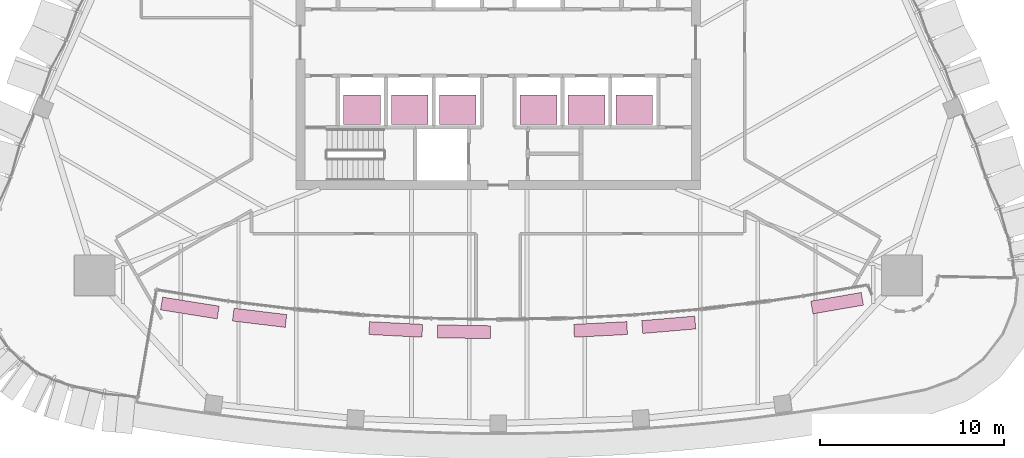
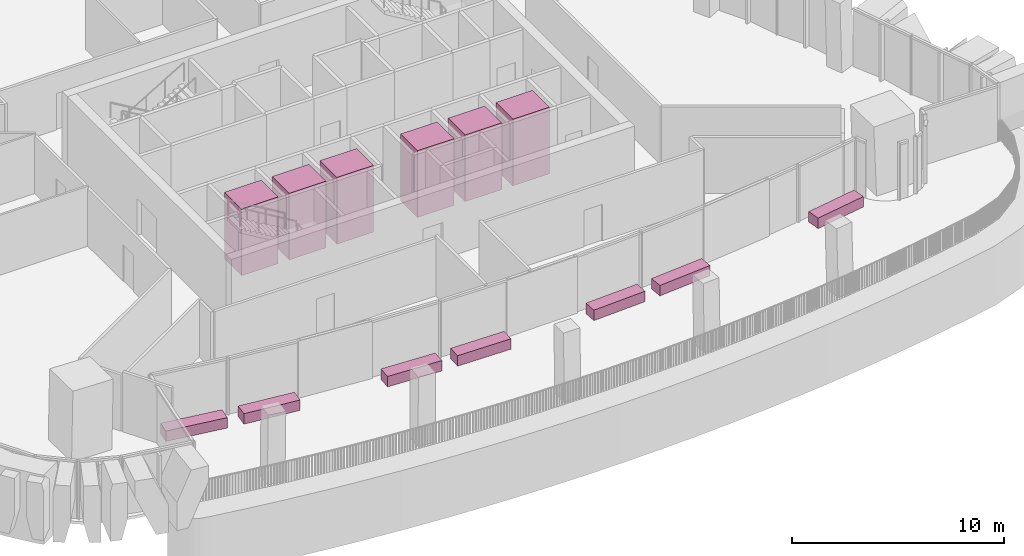
# One storey, part 22 of 22: 7 furniture elements, 6 transport elements.
"""IFC4 building model written with IfcOpenShell, lengths in metres."""

from ifc_helpers import new_model, si_unit, direction, frame, origin, origin_2d, place, context, subcontext, project, spatial, rectangle, extrude, material, type_object, element, save


model = new_model("IFC4")

# Units and contexts
model_context = context("Model", 3, precision=1e-05, world=origin(), true_north=direction((0.0, 1.0)))
body_context = subcontext(model_context, "Body", "Model", "MODEL_VIEW")
ifc_project = project(units=[si_unit("LENGTHUNIT", "METRE"), si_unit("AREAUNIT", "SQUARE_METRE"), si_unit("VOLUMEUNIT", "CUBIC_METRE"), si_unit("PLANEANGLEUNIT", "RADIAN"), si_unit("MASSUNIT", "GRAM", prefix="KILO")], contexts=[model_context])

# Site, building, storey
site_placement = place(None, origin())
site = spatial("IfcSite", under=ifc_project, at=site_placement, CompositionType="ELEMENT")
building_placement = place(site_placement, origin())
building = spatial("IfcBuilding", under=site, at=building_placement, Name="Sierra Prisma Convention Tower", CompositionType="ELEMENT")
storey_placement = place(building_placement, frame((0.0, 0.0, 243.0)))
storey = spatial("IfcBuildingStorey", under=building, at=storey_placement, Name="L54", CompositionType="ELEMENT", Elevation=243.0)

# Transport elements
ifc_material_1 = material(Name="Stainless steel", Category="steel")
transport_element_type = type_object("IfcTransportElementType", Name="Lift car office high 2000x1600 1600 kg", PredefinedType="ELEVATOR", material=ifc_material_1)
for number, where, z_axis, x_axis, name in (
    (1, (-7.39990234375, -3.64990234375, 0.0), (0.0, 0.0, 1.0), (1.0, 0.0, 0.0), "Lift OH1"),
    (2, (-4.800048828125, -3.64990234375, 0.0), (0.0, 0.0, 1.0), (1.0, 0.0, 0.0), "Lift OH2"),
    (3, (-2.199951171875, -3.64990234375, 0.0), (0.0, 0.0, 1.0), (1.0, 0.0, 0.0), "Lift OH3"),
    (4, (2.199951171875, -3.64990234375, 0.0), (0.0, 0.0, 1.0), (1.0, 0.0, 0.0), "Lift OH4"),
    (5, (4.800048828125, -3.64990234375, 0.0), (0.0, 0.0, 1.0), (1.0, 0.0, 0.0), "Lift OH5"),
    (6, (7.39990234375, -3.64990234375, 0.0), (0.0, 0.0, 1.0), (1.0, 0.0, 0.0), "Lift OH6"),
):
    element("IfcTransportElement", number, at=place(storey_placement, frame(where, z_axis=z_axis, x_axis=x_axis)), inside=storey, type_object=transport_element_type, Name=name, PredefinedType="ELEVATOR", context=body_context, shape_type="SweptSolid", body=[
        extrude(rectangle(XDim=2.0, YDim=1.60009765625, at=origin_2d()), origin(), (0.0, 0.0, 1.0), 3.85009765625),
    ])

# Furniture
ifc_material_2 = material(Name="Precast concrete C40/50", Category="concrete")
furniture_type = type_object("IfcFurnitureType", Name="Terrace planter", AssemblyPlace="NOTDEFINED", PredefinedType="USERDEFINED", material=ifc_material_2)
furniture_1_placement = place(storey_placement, frame((-16.755126953125, -14.431640625, 0.0400390625), z_axis=(0.0, 0.0, 1.0), x_axis=(0.987462635776, -0.157852915543, 0.0)))
element("IfcFurniture", 7, at=furniture_1_placement, inside=storey, type_object=furniture_type, Name="Planter L54.1", ObjectType="PLANTER", PredefinedType="USERDEFINED", context=body_context, shape_type="SweptSolid", body=[
    extrude(rectangle(XDim=3.114013671875, YDim=0.699951171875, at=origin_2d()), origin(), (0.0, 0.0, 1.0), 0.60009765625),
])
for number, where, z_axis, x_axis, name in (
    (8, (-12.964111328125, -14.964111328125, 0.0400390625), (0.0, 0.0, 1.0), (0.992868091138, -0.119218092591, 0.0), "Planter L54.2"),
    (9, (-5.56689453125, -15.59716796875, 0.0400390625), (0.0, 0.0, 1.0), (0.998688784171, -0.051192893759, 0.0), "Planter L54.4"),
    (10, (-1.8564453125, -15.723876953125, 0.0400390625), (0.0, 0.0, 1.0), (0.999854281042, -0.017070930925, 0.0), "Planter L54.5"),
    (11, (5.56689453125, -15.59716796875, 0.0400390625), (0.0, 0.0, 1.0), (0.998688784171, 0.051192893759, 0.0), "Planter L54.7"),
    (12, (9.270751953125, -15.34375, 0.0400390625), (0.0, 0.0, 1.0), (0.99635914901, 0.08525518274, 0.0), "Planter L54.8"),
):
    element("IfcFurniture", number, at=place(storey_placement, frame(where, z_axis=z_axis, x_axis=x_axis)), inside=storey, type_object=furniture_type, Name=name, ObjectType="PLANTER", PredefinedType="USERDEFINED", context=body_context, shape_type="SweptSolid", body=[
        extrude(rectangle(XDim=2.889404296875, YDim=0.699951171875, at=origin_2d()), origin(), (0.0, 0.0, 1.0), 0.60009765625),
    ])
furniture_2_placement = place(storey_placement, frame((18.421630859375, -14.16845703125, 0.0400390625), z_axis=(0.0, 0.0, 1.0), x_axis=(0.98550601834, 0.169640466325, 0.0)))
element("IfcFurniture", 13, at=furniture_2_placement, inside=storey, type_object=furniture_type, Name="Planter L54.11", ObjectType="PLANTER", PredefinedType="USERDEFINED", context=body_context, shape_type="SweptSolid", body=[
    extrude(rectangle(XDim=2.783203125, YDim=0.699951171875, at=origin_2d()), origin(), (0.0, 0.0, 1.0), 0.60009765625),
])

save(model, "model.ifc")
